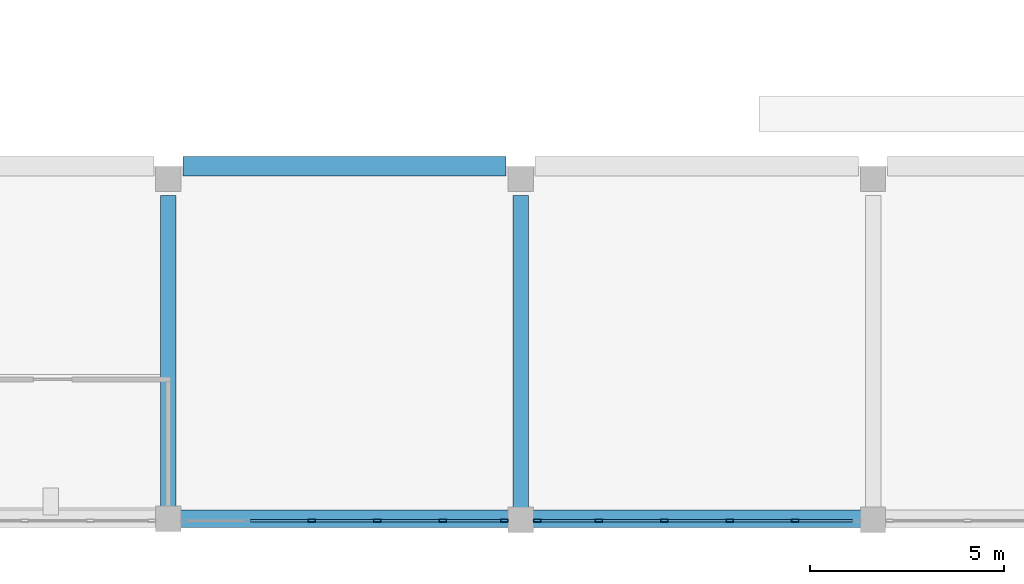
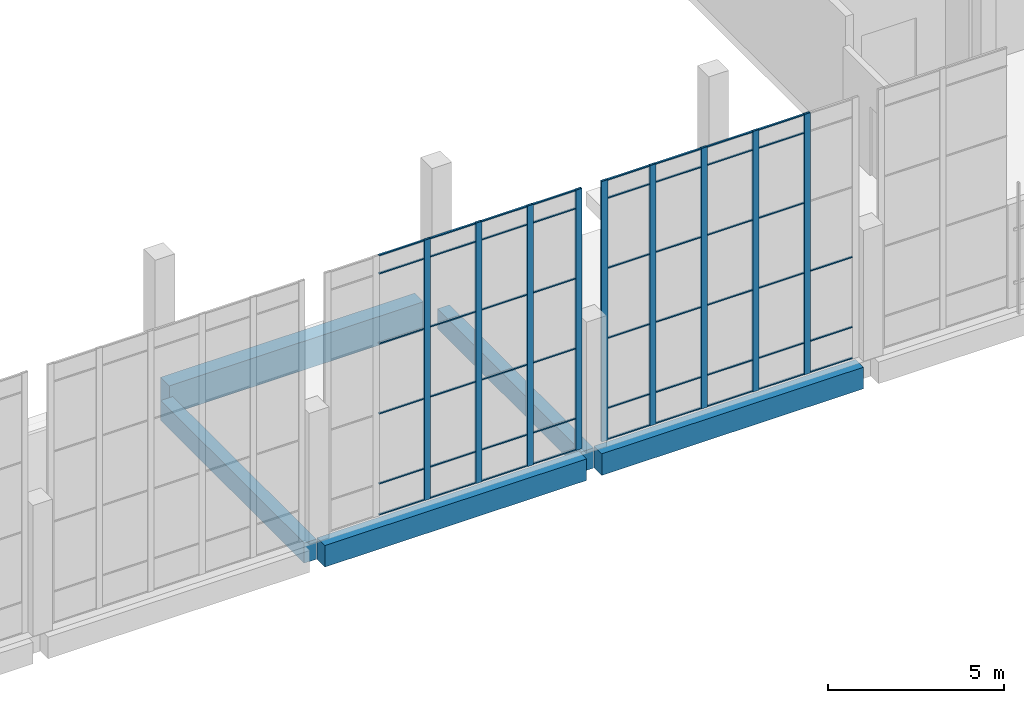
# One storey, part 13 of 91: 60 members, 5 beams, 2 elements without a shape of their own.
"""IFC4 building model written with IfcOpenShell, lengths in metres."""

from ifc_helpers import new_model, si_unit, direction, frame, origin, origin_2d, place, context, subcontext, project, spatial, rectangle, hollow_rectangle, extrude, material, layer, layer_set, material_profile, profile_set, type_object, element, aggregate, save


model = new_model("IFC4")

# Units and contexts
model_context = context("Model", 3, precision=1e-05, world=origin(), true_north=direction((0.0, 1.0)))
body_context = subcontext(model_context, "Body", "Model", "MODEL_VIEW")
ifc_project = project(units=[si_unit("LENGTHUNIT", "METRE"), si_unit("AREAUNIT", "SQUARE_METRE"), si_unit("VOLUMEUNIT", "CUBIC_METRE"), si_unit("PLANEANGLEUNIT", "RADIAN"), si_unit("MASSUNIT", "GRAM", prefix="KILO")], contexts=[model_context])

# Site, building, storey
site_placement = place(None, origin())
site = spatial("IfcSite", under=ifc_project, at=site_placement, CompositionType="ELEMENT")
building_placement = place(site_placement, origin())
building = spatial("IfcBuilding", under=site, at=building_placement, Name="Shirokan Park Arena", CompositionType="ELEMENT")
storey_placement = place(building_placement, frame((0.0, 0.0, 24.570068359375)))
storey = spatial("IfcBuildingStorey", under=building, at=storey_placement, Name="L05", CompositionType="ELEMENT", Elevation=24.570068359375)

# Curtain wall, members
ifc_material_1 = material(Name="Steel and glass curtain wall", Category="steel")
ifc_layer = layer(ifc_material_1, 0.199951171875)
ifc_layer_set = layer_set([ifc_layer], Name="Steel and glass curtain wall 200 mm")
curtain_wall_type = type_object("IfcCurtainWallType", Name="Curtain wall hall bay 200", PredefinedType="NOTDEFINED", material=ifc_layer_set)
curtain_wall_1_placement = place(storey_placement, origin())
curtain_wall_1 = element("IfcCurtainWall", 1, at=curtain_wall_1_placement, inside=storey, type_object=curtain_wall_type, Name="Curtain wall south bay 10 L05", PredefinedType="NOTDEFINED")
ifc_material_2 = material(Name="Steel S355", Category="steel")
ifc_material_profile_1 = material_profile(ifc_material_2, hollow_rectangle(XDim=0.080078125, YDim=0.199951171875, WallThickness=0.008056640625, at=origin_2d()), Name="RHS 200x80x8")
ifc_profile_set_1 = profile_set([ifc_material_profile_1], Name="Steel S355")
member_type_1 = type_object("IfcMemberType", Name="Mullion RHS 200x80x8", PredefinedType="MULLION", material=ifc_profile_set_1)
member_1_placement = place(storey_placement, frame((85.60498046875, -0.050048828125, 0.0), z_axis=(0.0, 0.0, 1.0), x_axis=(0.0, 1.0, 0.0)))
member_1 = element("IfcMember", 2, at=member_1_placement, type_object=member_type_1, Name="CW5 mullion 3", PredefinedType="MULLION", context=body_context, shape_type="SweptSolid", body=[
    extrude(hollow_rectangle(XDim=0.080078125, YDim=0.199951171875, WallThickness=0.008056640625, at=origin_2d()), origin(), (0.0, 0.0, 1.0), 9.050048828125),
])
member_2_placement = place(storey_placement, frame((87.294921875, -0.050048828125, 0.0), z_axis=(0.0, 0.0, 1.0), x_axis=(0.0, 1.0, 0.0)))
member_2 = element("IfcMember", 3, at=member_2_placement, type_object=member_type_1, Name="CW5 mullion 4", PredefinedType="MULLION", context=body_context, shape_type="SweptSolid", body=[
    extrude(hollow_rectangle(XDim=0.080078125, YDim=0.199951171875, WallThickness=0.008056640625, at=origin_2d()), origin(), (0.0, 0.0, 1.0), 9.050048828125),
])
member_3_placement = place(storey_placement, frame((88.985107421875, -0.050048828125, 0.0), z_axis=(0.0, 0.0, 1.0), x_axis=(0.0, 1.0, 0.0)))
member_3 = element("IfcMember", 4, at=member_3_placement, type_object=member_type_1, Name="CW5 mullion 5", PredefinedType="MULLION", context=body_context, shape_type="SweptSolid", body=[
    extrude(hollow_rectangle(XDim=0.080078125, YDim=0.199951171875, WallThickness=0.008056640625, at=origin_2d()), origin(), (0.0, 0.0, 1.0), 9.050048828125),
])
member_4_placement = place(storey_placement, frame((90.574951171875, -0.050048828125, 0.0), z_axis=(0.0, 0.0, 1.0), x_axis=(0.0, 1.0, 0.0)))
member_4 = element("IfcMember", 5, at=member_4_placement, type_object=member_type_1, Name="CW5 mullion 6", PredefinedType="MULLION", context=body_context, shape_type="SweptSolid", body=[
    extrude(hollow_rectangle(XDim=0.080078125, YDim=0.199951171875, WallThickness=0.008056640625, at=origin_2d()), origin(), (0.0, 0.0, 1.0), 9.050048828125),
])

curtain_wall_2_placement = place(storey_placement, origin())
curtain_wall_2 = element("IfcCurtainWall", 6, at=curtain_wall_2_placement, inside=storey, type_object=curtain_wall_type, Name="Curtain wall south bay 11 L05", PredefinedType="NOTDEFINED")
member_5_placement = place(storey_placement, frame((91.425048828125, -0.050048828125, 0.0), z_axis=(0.0, 0.0, 1.0), x_axis=(0.0, 1.0, 0.0)))
member_5 = element("IfcMember", 7, at=member_5_placement, type_object=member_type_1, Name="CW5 mullion 1", PredefinedType="MULLION", context=body_context, shape_type="SweptSolid", body=[
    extrude(hollow_rectangle(XDim=0.080078125, YDim=0.199951171875, WallThickness=0.008056640625, at=origin_2d()), origin(), (0.0, 0.0, 1.0), 9.050048828125),
])
member_6_placement = place(storey_placement, frame((93.014892578125, -0.050048828125, 0.0), z_axis=(0.0, 0.0, 1.0), x_axis=(0.0, 1.0, 0.0)))
member_6 = element("IfcMember", 8, at=member_6_placement, type_object=member_type_1, Name="CW5 mullion 2", PredefinedType="MULLION", context=body_context, shape_type="SweptSolid", body=[
    extrude(hollow_rectangle(XDim=0.080078125, YDim=0.199951171875, WallThickness=0.008056640625, at=origin_2d()), origin(), (0.0, 0.0, 1.0), 9.050048828125),
])
member_7_placement = place(storey_placement, frame((94.705078125, -0.050048828125, 0.0), z_axis=(0.0, 0.0, 1.0), x_axis=(0.0, 1.0, 0.0)))
member_7 = element("IfcMember", 9, at=member_7_placement, type_object=member_type_1, Name="CW5 mullion 3", PredefinedType="MULLION", context=body_context, shape_type="SweptSolid", body=[
    extrude(hollow_rectangle(XDim=0.080078125, YDim=0.199951171875, WallThickness=0.008056640625, at=origin_2d()), origin(), (0.0, 0.0, 1.0), 9.050048828125),
])
member_8_placement = place(storey_placement, frame((96.39501953125, -0.050048828125, 0.0), z_axis=(0.0, 0.0, 1.0), x_axis=(0.0, 1.0, 0.0)))
member_8 = element("IfcMember", 10, at=member_8_placement, type_object=member_type_1, Name="CW5 mullion 4", PredefinedType="MULLION", context=body_context, shape_type="SweptSolid", body=[
    extrude(hollow_rectangle(XDim=0.080078125, YDim=0.199951171875, WallThickness=0.008056640625, at=origin_2d()), origin(), (0.0, 0.0, 1.0), 9.050048828125),
])
member_9_placement = place(storey_placement, frame((98.0849609375, -0.050048828125, 0.0), z_axis=(0.0, 0.0, 1.0), x_axis=(0.0, 1.0, 0.0)))
member_9 = element("IfcMember", 11, at=member_9_placement, type_object=member_type_1, Name="CW5 mullion 5", PredefinedType="MULLION", context=body_context, shape_type="SweptSolid", body=[
    extrude(hollow_rectangle(XDim=0.080078125, YDim=0.199951171875, WallThickness=0.008056640625, at=origin_2d()), origin(), (0.0, 0.0, 1.0), 9.050048828125),
])

# Beams
ifc_material_3 = material(Name="Concrete C35", Category="concrete")
ifc_material_profile_2 = material_profile(ifc_material_3, rectangle(XDim=0.39990234375, YDim=0.699951171875, at=origin_2d()), Name="400x700")
ifc_profile_set_2 = profile_set([ifc_material_profile_2], Name="Concrete C35")
beam_type_1 = type_object("IfcBeamType", Name="RC girder 400x700", PredefinedType="BEAM", material=ifc_profile_set_2)
beam_1_placement = place(storey_placement, frame((81.89990234375, 0.175048828125, -0.650146484375), z_axis=(0.0, 1.0, 0.0), x_axis=(-1.0, 0.0, 0.0)))
element("IfcBeam", 12, at=beam_1_placement, inside=storey, type_object=beam_type_1, Name="Girder 10A-10B L05", PredefinedType="BEAM", context=body_context, shape_type="SweptSolid", body=[
    extrude(rectangle(XDim=0.39990234375, YDim=0.699951171875, at=origin_2d()), origin(), (0.0, 0.0, 1.0), 8.1748046875),
])
beam_2_placement = place(storey_placement, frame((91.0, 0.150146484375, -0.650146484375), z_axis=(0.0, 1.0, 0.0), x_axis=(-1.0, 0.0, 0.0)))
element("IfcBeam", 13, at=beam_2_placement, inside=storey, type_object=beam_type_1, Name="Girder 11A-11B L05", PredefinedType="BEAM", context=body_context, shape_type="SweptSolid", body=[
    extrude(rectangle(XDim=0.39990234375, YDim=0.699951171875, at=origin_2d()), origin(), (0.0, 0.0, 1.0), 8.19970703125),
])
ifc_material_profile_3 = material_profile(ifc_material_3, rectangle(XDim=0.449951171875, YDim=0.75, at=origin_2d()), Name="450x750")
ifc_profile_set_3 = profile_set([ifc_material_profile_3], Name="Concrete C35")
beam_type_2 = type_object("IfcBeamType", Name="RC girder 450x750", PredefinedType="BEAM", material=ifc_profile_set_3)
for number, where, z_axis, x_axis, name in (
    (14, (82.150146484375, 0.0, -0.675048828125), (1.0, 0.0, 0.0), (0.0, 1.0, 0.0), "Girder 10A-11A L05"),
    (15, (91.25, 0.0, -0.675048828125), (1.0, 0.0, 0.0), (0.0, 1.0, 0.0), "Girder 11A-12A L05"),
):
    element("IfcBeam", number, at=place(storey_placement, frame(where, z_axis=z_axis, x_axis=x_axis)), inside=storey, type_object=beam_type_2, Name=name, PredefinedType="BEAM", context=body_context, shape_type="SweptSolid", body=[
        extrude(rectangle(XDim=0.449951171875, YDim=0.75, at=origin_2d()), origin(), (0.0, 0.0, 1.0), 8.599853515625),
    ])
ifc_material_profile_4 = material_profile(ifc_material_3, rectangle(XDim=0.5, YDim=1.0, at=origin_2d()), Name="500x1000")
ifc_profile_set_4 = profile_set([ifc_material_profile_4], Name="Concrete C35")
beam_type_3 = type_object("IfcBeamType", Name="RC girder 500x1000", PredefinedType="BEAM", material=ifc_profile_set_4)
beam_3_placement = place(storey_placement, frame((82.275146484375, 9.10009765625, -0.800048828125), z_axis=(1.0, 0.0, 0.0), x_axis=(0.0, 1.0, 0.0)))
element("IfcBeam", 16, at=beam_3_placement, inside=storey, type_object=beam_type_3, Name="Girder 10B-11B L05", PredefinedType="BEAM", context=body_context, shape_type="SweptSolid", body=[
    extrude(rectangle(XDim=0.5, YDim=1.0, at=origin_2d()), origin(), (0.0, 0.0, 1.0), 8.349853515625),
])

# Member
ifc_material_profile_5 = material_profile(ifc_material_2, hollow_rectangle(XDim=0.06005859375, YDim=0.0400390625, WallThickness=0.00390625, at=origin_2d()), Name="RHS 60x40x4")
ifc_profile_set_5 = profile_set([ifc_material_profile_5], Name="Steel S355")
member_type_2 = type_object("IfcMemberType", Name="Transom RHS 60x40x4", PredefinedType="MULLION", material=ifc_profile_set_5)
member_10_placement = place(storey_placement, frame((84.014892578125, -0.050048828125, 0.02001953125), z_axis=(1.0, 0.0, 0.0), x_axis=(0.0, 1.0, 0.0)))
member_10 = element("IfcMember", 17, at=member_10_placement, type_object=member_type_2, Name="CW5 transom 2.1", PredefinedType="MULLION", context=body_context, shape_type="SweptSolid", body=[
    extrude(hollow_rectangle(XDim=0.06005859375, YDim=0.0400390625, WallThickness=0.00390625, at=origin_2d()), origin(), (0.0, 0.0, 1.0), 1.489990234375),
])

member_11_placement = place(storey_placement, frame((84.014892578125, -0.050048828125, 1.099853515625), z_axis=(1.0, 0.0, 0.0), x_axis=(0.0, 1.0, 0.0)))
member_11 = element("IfcMember", 18, at=member_11_placement, type_object=member_type_2, Name="CW5 transom 2.2", PredefinedType="MULLION", context=body_context, shape_type="SweptSolid", body=[
    extrude(hollow_rectangle(XDim=0.06005859375, YDim=0.0400390625, WallThickness=0.00390625, at=origin_2d()), origin(), (0.0, 0.0, 1.0), 1.489990234375),
])

member_12_placement = place(storey_placement, frame((84.014892578125, -0.050048828125, 3.533203125), z_axis=(1.0, 0.0, 0.0), x_axis=(0.0, 1.0, 0.0)))
member_12 = element("IfcMember", 19, at=member_12_placement, type_object=member_type_2, Name="CW5 transom 2.3", PredefinedType="MULLION", context=body_context, shape_type="SweptSolid", body=[
    extrude(hollow_rectangle(XDim=0.06005859375, YDim=0.0400390625, WallThickness=0.00390625, at=origin_2d()), origin(), (0.0, 0.0, 1.0), 1.489990234375),
])

member_13_placement = place(storey_placement, frame((84.014892578125, -0.050048828125, 5.966552734375), z_axis=(1.0, 0.0, 0.0), x_axis=(0.0, 1.0, 0.0)))
member_13 = element("IfcMember", 20, at=member_13_placement, type_object=member_type_2, Name="CW5 transom 2.4", PredefinedType="MULLION", context=body_context, shape_type="SweptSolid", body=[
    extrude(hollow_rectangle(XDim=0.06005859375, YDim=0.0400390625, WallThickness=0.00390625, at=origin_2d()), origin(), (0.0, 0.0, 1.0), 1.489990234375),
])

member_14_placement = place(storey_placement, frame((84.014892578125, -0.050048828125, 8.39990234375), z_axis=(1.0, 0.0, 0.0), x_axis=(0.0, 1.0, 0.0)))
member_14 = element("IfcMember", 21, at=member_14_placement, type_object=member_type_2, Name="CW5 transom 2.5", PredefinedType="MULLION", context=body_context, shape_type="SweptSolid", body=[
    extrude(hollow_rectangle(XDim=0.06005859375, YDim=0.0400390625, WallThickness=0.00390625, at=origin_2d()), origin(), (0.0, 0.0, 1.0), 1.489990234375),
])

member_15_placement = place(storey_placement, frame((84.014892578125, -0.050048828125, 9.030029296875), z_axis=(1.0, 0.0, 0.0), x_axis=(0.0, 1.0, 0.0)))
member_15 = element("IfcMember", 22, at=member_15_placement, type_object=member_type_2, Name="CW5 transom 2.6", PredefinedType="MULLION", context=body_context, shape_type="SweptSolid", body=[
    extrude(hollow_rectangle(XDim=0.06005859375, YDim=0.0400390625, WallThickness=0.00390625, at=origin_2d()), origin(), (0.0, 0.0, 1.0), 1.489990234375),
])

member_16_placement = place(storey_placement, frame((85.705078125, -0.050048828125, 0.02001953125), z_axis=(1.0, 0.0, 0.0), x_axis=(0.0, 1.0, 0.0)))
member_16 = element("IfcMember", 23, at=member_16_placement, type_object=member_type_2, Name="CW5 transom 3.1", PredefinedType="MULLION", context=body_context, shape_type="SweptSolid", body=[
    extrude(hollow_rectangle(XDim=0.06005859375, YDim=0.0400390625, WallThickness=0.00390625, at=origin_2d()), origin(), (0.0, 0.0, 1.0), 1.489990234375),
])

member_17_placement = place(storey_placement, frame((85.705078125, -0.050048828125, 1.099853515625), z_axis=(1.0, 0.0, 0.0), x_axis=(0.0, 1.0, 0.0)))
member_17 = element("IfcMember", 24, at=member_17_placement, type_object=member_type_2, Name="CW5 transom 3.2", PredefinedType="MULLION", context=body_context, shape_type="SweptSolid", body=[
    extrude(hollow_rectangle(XDim=0.06005859375, YDim=0.0400390625, WallThickness=0.00390625, at=origin_2d()), origin(), (0.0, 0.0, 1.0), 1.489990234375),
])

member_18_placement = place(storey_placement, frame((85.705078125, -0.050048828125, 3.533203125), z_axis=(1.0, 0.0, 0.0), x_axis=(0.0, 1.0, 0.0)))
member_18 = element("IfcMember", 25, at=member_18_placement, type_object=member_type_2, Name="CW5 transom 3.3", PredefinedType="MULLION", context=body_context, shape_type="SweptSolid", body=[
    extrude(hollow_rectangle(XDim=0.06005859375, YDim=0.0400390625, WallThickness=0.00390625, at=origin_2d()), origin(), (0.0, 0.0, 1.0), 1.489990234375),
])

member_19_placement = place(storey_placement, frame((85.705078125, -0.050048828125, 5.966552734375), z_axis=(1.0, 0.0, 0.0), x_axis=(0.0, 1.0, 0.0)))
member_19 = element("IfcMember", 26, at=member_19_placement, type_object=member_type_2, Name="CW5 transom 3.4", PredefinedType="MULLION", context=body_context, shape_type="SweptSolid", body=[
    extrude(hollow_rectangle(XDim=0.06005859375, YDim=0.0400390625, WallThickness=0.00390625, at=origin_2d()), origin(), (0.0, 0.0, 1.0), 1.489990234375),
])

member_20_placement = place(storey_placement, frame((85.705078125, -0.050048828125, 8.39990234375), z_axis=(1.0, 0.0, 0.0), x_axis=(0.0, 1.0, 0.0)))
member_20 = element("IfcMember", 27, at=member_20_placement, type_object=member_type_2, Name="CW5 transom 3.5", PredefinedType="MULLION", context=body_context, shape_type="SweptSolid", body=[
    extrude(hollow_rectangle(XDim=0.06005859375, YDim=0.0400390625, WallThickness=0.00390625, at=origin_2d()), origin(), (0.0, 0.0, 1.0), 1.489990234375),
])

member_21_placement = place(storey_placement, frame((85.705078125, -0.050048828125, 9.030029296875), z_axis=(1.0, 0.0, 0.0), x_axis=(0.0, 1.0, 0.0)))
member_21 = element("IfcMember", 28, at=member_21_placement, type_object=member_type_2, Name="CW5 transom 3.6", PredefinedType="MULLION", context=body_context, shape_type="SweptSolid", body=[
    extrude(hollow_rectangle(XDim=0.06005859375, YDim=0.0400390625, WallThickness=0.00390625, at=origin_2d()), origin(), (0.0, 0.0, 1.0), 1.489990234375),
])

member_22_placement = place(storey_placement, frame((87.39501953125, -0.050048828125, 0.02001953125), z_axis=(1.0, 0.0, 0.0), x_axis=(0.0, 1.0, 0.0)))
member_22 = element("IfcMember", 29, at=member_22_placement, type_object=member_type_2, Name="CW5 transom 4.1", PredefinedType="MULLION", context=body_context, shape_type="SweptSolid", body=[
    extrude(hollow_rectangle(XDim=0.06005859375, YDim=0.0400390625, WallThickness=0.00390625, at=origin_2d()), origin(), (0.0, 0.0, 1.0), 1.489990234375),
])

member_23_placement = place(storey_placement, frame((87.39501953125, -0.050048828125, 1.099853515625), z_axis=(1.0, 0.0, 0.0), x_axis=(0.0, 1.0, 0.0)))
member_23 = element("IfcMember", 30, at=member_23_placement, type_object=member_type_2, Name="CW5 transom 4.2", PredefinedType="MULLION", context=body_context, shape_type="SweptSolid", body=[
    extrude(hollow_rectangle(XDim=0.06005859375, YDim=0.0400390625, WallThickness=0.00390625, at=origin_2d()), origin(), (0.0, 0.0, 1.0), 1.489990234375),
])

member_24_placement = place(storey_placement, frame((87.39501953125, -0.050048828125, 3.533203125), z_axis=(1.0, 0.0, 0.0), x_axis=(0.0, 1.0, 0.0)))
member_24 = element("IfcMember", 31, at=member_24_placement, type_object=member_type_2, Name="CW5 transom 4.3", PredefinedType="MULLION", context=body_context, shape_type="SweptSolid", body=[
    extrude(hollow_rectangle(XDim=0.06005859375, YDim=0.0400390625, WallThickness=0.00390625, at=origin_2d()), origin(), (0.0, 0.0, 1.0), 1.489990234375),
])

member_25_placement = place(storey_placement, frame((87.39501953125, -0.050048828125, 5.966552734375), z_axis=(1.0, 0.0, 0.0), x_axis=(0.0, 1.0, 0.0)))
member_25 = element("IfcMember", 32, at=member_25_placement, type_object=member_type_2, Name="CW5 transom 4.4", PredefinedType="MULLION", context=body_context, shape_type="SweptSolid", body=[
    extrude(hollow_rectangle(XDim=0.06005859375, YDim=0.0400390625, WallThickness=0.00390625, at=origin_2d()), origin(), (0.0, 0.0, 1.0), 1.489990234375),
])

member_26_placement = place(storey_placement, frame((87.39501953125, -0.050048828125, 8.39990234375), z_axis=(1.0, 0.0, 0.0), x_axis=(0.0, 1.0, 0.0)))
member_26 = element("IfcMember", 33, at=member_26_placement, type_object=member_type_2, Name="CW5 transom 4.5", PredefinedType="MULLION", context=body_context, shape_type="SweptSolid", body=[
    extrude(hollow_rectangle(XDim=0.06005859375, YDim=0.0400390625, WallThickness=0.00390625, at=origin_2d()), origin(), (0.0, 0.0, 1.0), 1.489990234375),
])

member_27_placement = place(storey_placement, frame((87.39501953125, -0.050048828125, 9.030029296875), z_axis=(1.0, 0.0, 0.0), x_axis=(0.0, 1.0, 0.0)))
member_27 = element("IfcMember", 34, at=member_27_placement, type_object=member_type_2, Name="CW5 transom 4.6", PredefinedType="MULLION", context=body_context, shape_type="SweptSolid", body=[
    extrude(hollow_rectangle(XDim=0.06005859375, YDim=0.0400390625, WallThickness=0.00390625, at=origin_2d()), origin(), (0.0, 0.0, 1.0), 1.489990234375),
])

member_28_placement = place(storey_placement, frame((89.0849609375, -0.050048828125, 0.02001953125), z_axis=(1.0, 0.0, 0.0), x_axis=(0.0, 1.0, 0.0)))
member_28 = element("IfcMember", 35, at=member_28_placement, type_object=member_type_2, Name="CW5 transom 5.1", PredefinedType="MULLION", context=body_context, shape_type="SweptSolid", body=[
    extrude(hollow_rectangle(XDim=0.06005859375, YDim=0.0400390625, WallThickness=0.00390625, at=origin_2d()), origin(), (0.0, 0.0, 1.0), 1.39013671875),
])

member_29_placement = place(storey_placement, frame((89.0849609375, -0.050048828125, 1.099853515625), z_axis=(1.0, 0.0, 0.0), x_axis=(0.0, 1.0, 0.0)))
member_29 = element("IfcMember", 36, at=member_29_placement, type_object=member_type_2, Name="CW5 transom 5.2", PredefinedType="MULLION", context=body_context, shape_type="SweptSolid", body=[
    extrude(hollow_rectangle(XDim=0.06005859375, YDim=0.0400390625, WallThickness=0.00390625, at=origin_2d()), origin(), (0.0, 0.0, 1.0), 1.39013671875),
])

member_30_placement = place(storey_placement, frame((89.0849609375, -0.050048828125, 3.533203125), z_axis=(1.0, 0.0, 0.0), x_axis=(0.0, 1.0, 0.0)))
member_30 = element("IfcMember", 37, at=member_30_placement, type_object=member_type_2, Name="CW5 transom 5.3", PredefinedType="MULLION", context=body_context, shape_type="SweptSolid", body=[
    extrude(hollow_rectangle(XDim=0.06005859375, YDim=0.0400390625, WallThickness=0.00390625, at=origin_2d()), origin(), (0.0, 0.0, 1.0), 1.39013671875),
])

member_31_placement = place(storey_placement, frame((89.0849609375, -0.050048828125, 5.966552734375), z_axis=(1.0, 0.0, 0.0), x_axis=(0.0, 1.0, 0.0)))
member_31 = element("IfcMember", 38, at=member_31_placement, type_object=member_type_2, Name="CW5 transom 5.4", PredefinedType="MULLION", context=body_context, shape_type="SweptSolid", body=[
    extrude(hollow_rectangle(XDim=0.06005859375, YDim=0.0400390625, WallThickness=0.00390625, at=origin_2d()), origin(), (0.0, 0.0, 1.0), 1.39013671875),
])

member_32_placement = place(storey_placement, frame((89.0849609375, -0.050048828125, 8.39990234375), z_axis=(1.0, 0.0, 0.0), x_axis=(0.0, 1.0, 0.0)))
member_32 = element("IfcMember", 39, at=member_32_placement, type_object=member_type_2, Name="CW5 transom 5.5", PredefinedType="MULLION", context=body_context, shape_type="SweptSolid", body=[
    extrude(hollow_rectangle(XDim=0.06005859375, YDim=0.0400390625, WallThickness=0.00390625, at=origin_2d()), origin(), (0.0, 0.0, 1.0), 1.39013671875),
])

member_33_placement = place(storey_placement, frame((89.0849609375, -0.050048828125, 9.030029296875), z_axis=(1.0, 0.0, 0.0), x_axis=(0.0, 1.0, 0.0)))
member_33 = element("IfcMember", 40, at=member_33_placement, type_object=member_type_2, Name="CW5 transom 5.6", PredefinedType="MULLION", context=body_context, shape_type="SweptSolid", body=[
    extrude(hollow_rectangle(XDim=0.06005859375, YDim=0.0400390625, WallThickness=0.00390625, at=origin_2d()), origin(), (0.0, 0.0, 1.0), 1.39013671875),
])

aggregate(curtain_wall_1, [member_1, member_2, member_3, member_4, member_10, member_11, member_12, member_13, member_14, member_15, member_16, member_17, member_18, member_19, member_20, member_21, member_22, member_23, member_24, member_25, member_26, member_27, member_28, member_29, member_30, member_31, member_32, member_33])

member_34_placement = place(storey_placement, frame((91.52490234375, -0.050048828125, 0.02001953125), z_axis=(1.0, 0.0, 0.0), x_axis=(0.0, 1.0, 0.0)))
member_34 = element("IfcMember", 41, at=member_34_placement, type_object=member_type_2, Name="CW5 transom 1.1", PredefinedType="MULLION", context=body_context, shape_type="SweptSolid", body=[
    extrude(hollow_rectangle(XDim=0.06005859375, YDim=0.0400390625, WallThickness=0.00390625, at=origin_2d()), origin(), (0.0, 0.0, 1.0), 1.39013671875),
])

member_35_placement = place(storey_placement, frame((91.52490234375, -0.050048828125, 1.099853515625), z_axis=(1.0, 0.0, 0.0), x_axis=(0.0, 1.0, 0.0)))
member_35 = element("IfcMember", 42, at=member_35_placement, type_object=member_type_2, Name="CW5 transom 1.2", PredefinedType="MULLION", context=body_context, shape_type="SweptSolid", body=[
    extrude(hollow_rectangle(XDim=0.06005859375, YDim=0.0400390625, WallThickness=0.00390625, at=origin_2d()), origin(), (0.0, 0.0, 1.0), 1.39013671875),
])

member_36_placement = place(storey_placement, frame((91.52490234375, -0.050048828125, 3.533203125), z_axis=(1.0, 0.0, 0.0), x_axis=(0.0, 1.0, 0.0)))
member_36 = element("IfcMember", 43, at=member_36_placement, type_object=member_type_2, Name="CW5 transom 1.3", PredefinedType="MULLION", context=body_context, shape_type="SweptSolid", body=[
    extrude(hollow_rectangle(XDim=0.06005859375, YDim=0.0400390625, WallThickness=0.00390625, at=origin_2d()), origin(), (0.0, 0.0, 1.0), 1.39013671875),
])

member_37_placement = place(storey_placement, frame((91.52490234375, -0.050048828125, 5.966552734375), z_axis=(1.0, 0.0, 0.0), x_axis=(0.0, 1.0, 0.0)))
member_37 = element("IfcMember", 44, at=member_37_placement, type_object=member_type_2, Name="CW5 transom 1.4", PredefinedType="MULLION", context=body_context, shape_type="SweptSolid", body=[
    extrude(hollow_rectangle(XDim=0.06005859375, YDim=0.0400390625, WallThickness=0.00390625, at=origin_2d()), origin(), (0.0, 0.0, 1.0), 1.39013671875),
])

member_38_placement = place(storey_placement, frame((91.52490234375, -0.050048828125, 8.39990234375), z_axis=(1.0, 0.0, 0.0), x_axis=(0.0, 1.0, 0.0)))
member_38 = element("IfcMember", 45, at=member_38_placement, type_object=member_type_2, Name="CW5 transom 1.5", PredefinedType="MULLION", context=body_context, shape_type="SweptSolid", body=[
    extrude(hollow_rectangle(XDim=0.06005859375, YDim=0.0400390625, WallThickness=0.00390625, at=origin_2d()), origin(), (0.0, 0.0, 1.0), 1.39013671875),
])

member_39_placement = place(storey_placement, frame((91.52490234375, -0.050048828125, 9.030029296875), z_axis=(1.0, 0.0, 0.0), x_axis=(0.0, 1.0, 0.0)))
member_39 = element("IfcMember", 46, at=member_39_placement, type_object=member_type_2, Name="CW5 transom 1.6", PredefinedType="MULLION", context=body_context, shape_type="SweptSolid", body=[
    extrude(hollow_rectangle(XDim=0.06005859375, YDim=0.0400390625, WallThickness=0.00390625, at=origin_2d()), origin(), (0.0, 0.0, 1.0), 1.39013671875),
])

member_40_placement = place(storey_placement, frame((93.114990234375, -0.050048828125, 0.02001953125), z_axis=(1.0, 0.0, 0.0), x_axis=(0.0, 1.0, 0.0)))
member_40 = element("IfcMember", 47, at=member_40_placement, type_object=member_type_2, Name="CW5 transom 2.1", PredefinedType="MULLION", context=body_context, shape_type="SweptSolid", body=[
    extrude(hollow_rectangle(XDim=0.06005859375, YDim=0.0400390625, WallThickness=0.00390625, at=origin_2d()), origin(), (0.0, 0.0, 1.0), 1.489990234375),
])

member_41_placement = place(storey_placement, frame((93.114990234375, -0.050048828125, 1.099853515625), z_axis=(1.0, 0.0, 0.0), x_axis=(0.0, 1.0, 0.0)))
member_41 = element("IfcMember", 48, at=member_41_placement, type_object=member_type_2, Name="CW5 transom 2.2", PredefinedType="MULLION", context=body_context, shape_type="SweptSolid", body=[
    extrude(hollow_rectangle(XDim=0.06005859375, YDim=0.0400390625, WallThickness=0.00390625, at=origin_2d()), origin(), (0.0, 0.0, 1.0), 1.489990234375),
])

member_42_placement = place(storey_placement, frame((93.114990234375, -0.050048828125, 3.533203125), z_axis=(1.0, 0.0, 0.0), x_axis=(0.0, 1.0, 0.0)))
member_42 = element("IfcMember", 49, at=member_42_placement, type_object=member_type_2, Name="CW5 transom 2.3", PredefinedType="MULLION", context=body_context, shape_type="SweptSolid", body=[
    extrude(hollow_rectangle(XDim=0.06005859375, YDim=0.0400390625, WallThickness=0.00390625, at=origin_2d()), origin(), (0.0, 0.0, 1.0), 1.489990234375),
])

member_43_placement = place(storey_placement, frame((93.114990234375, -0.050048828125, 5.966552734375), z_axis=(1.0, 0.0, 0.0), x_axis=(0.0, 1.0, 0.0)))
member_43 = element("IfcMember", 50, at=member_43_placement, type_object=member_type_2, Name="CW5 transom 2.4", PredefinedType="MULLION", context=body_context, shape_type="SweptSolid", body=[
    extrude(hollow_rectangle(XDim=0.06005859375, YDim=0.0400390625, WallThickness=0.00390625, at=origin_2d()), origin(), (0.0, 0.0, 1.0), 1.489990234375),
])

member_44_placement = place(storey_placement, frame((93.114990234375, -0.050048828125, 8.39990234375), z_axis=(1.0, 0.0, 0.0), x_axis=(0.0, 1.0, 0.0)))
member_44 = element("IfcMember", 51, at=member_44_placement, type_object=member_type_2, Name="CW5 transom 2.5", PredefinedType="MULLION", context=body_context, shape_type="SweptSolid", body=[
    extrude(hollow_rectangle(XDim=0.06005859375, YDim=0.0400390625, WallThickness=0.00390625, at=origin_2d()), origin(), (0.0, 0.0, 1.0), 1.489990234375),
])

member_45_placement = place(storey_placement, frame((93.114990234375, -0.050048828125, 9.030029296875), z_axis=(1.0, 0.0, 0.0), x_axis=(0.0, 1.0, 0.0)))
member_45 = element("IfcMember", 52, at=member_45_placement, type_object=member_type_2, Name="CW5 transom 2.6", PredefinedType="MULLION", context=body_context, shape_type="SweptSolid", body=[
    extrude(hollow_rectangle(XDim=0.06005859375, YDim=0.0400390625, WallThickness=0.00390625, at=origin_2d()), origin(), (0.0, 0.0, 1.0), 1.489990234375),
])

member_46_placement = place(storey_placement, frame((94.804931640625, -0.050048828125, 0.02001953125), z_axis=(1.0, 0.0, 0.0), x_axis=(0.0, 1.0, 0.0)))
member_46 = element("IfcMember", 53, at=member_46_placement, type_object=member_type_2, Name="CW5 transom 3.1", PredefinedType="MULLION", context=body_context, shape_type="SweptSolid", body=[
    extrude(hollow_rectangle(XDim=0.06005859375, YDim=0.0400390625, WallThickness=0.00390625, at=origin_2d()), origin(), (0.0, 0.0, 1.0), 1.489990234375),
])

member_47_placement = place(storey_placement, frame((94.804931640625, -0.050048828125, 1.099853515625), z_axis=(1.0, 0.0, 0.0), x_axis=(0.0, 1.0, 0.0)))
member_47 = element("IfcMember", 54, at=member_47_placement, type_object=member_type_2, Name="CW5 transom 3.2", PredefinedType="MULLION", context=body_context, shape_type="SweptSolid", body=[
    extrude(hollow_rectangle(XDim=0.06005859375, YDim=0.0400390625, WallThickness=0.00390625, at=origin_2d()), origin(), (0.0, 0.0, 1.0), 1.489990234375),
])

member_48_placement = place(storey_placement, frame((94.804931640625, -0.050048828125, 3.533203125), z_axis=(1.0, 0.0, 0.0), x_axis=(0.0, 1.0, 0.0)))
member_48 = element("IfcMember", 55, at=member_48_placement, type_object=member_type_2, Name="CW5 transom 3.3", PredefinedType="MULLION", context=body_context, shape_type="SweptSolid", body=[
    extrude(hollow_rectangle(XDim=0.06005859375, YDim=0.0400390625, WallThickness=0.00390625, at=origin_2d()), origin(), (0.0, 0.0, 1.0), 1.489990234375),
])

member_49_placement = place(storey_placement, frame((94.804931640625, -0.050048828125, 5.966552734375), z_axis=(1.0, 0.0, 0.0), x_axis=(0.0, 1.0, 0.0)))
member_49 = element("IfcMember", 56, at=member_49_placement, type_object=member_type_2, Name="CW5 transom 3.4", PredefinedType="MULLION", context=body_context, shape_type="SweptSolid", body=[
    extrude(hollow_rectangle(XDim=0.06005859375, YDim=0.0400390625, WallThickness=0.00390625, at=origin_2d()), origin(), (0.0, 0.0, 1.0), 1.489990234375),
])

member_50_placement = place(storey_placement, frame((94.804931640625, -0.050048828125, 8.39990234375), z_axis=(1.0, 0.0, 0.0), x_axis=(0.0, 1.0, 0.0)))
member_50 = element("IfcMember", 57, at=member_50_placement, type_object=member_type_2, Name="CW5 transom 3.5", PredefinedType="MULLION", context=body_context, shape_type="SweptSolid", body=[
    extrude(hollow_rectangle(XDim=0.06005859375, YDim=0.0400390625, WallThickness=0.00390625, at=origin_2d()), origin(), (0.0, 0.0, 1.0), 1.489990234375),
])

member_51_placement = place(storey_placement, frame((94.804931640625, -0.050048828125, 9.030029296875), z_axis=(1.0, 0.0, 0.0), x_axis=(0.0, 1.0, 0.0)))
member_51 = element("IfcMember", 58, at=member_51_placement, type_object=member_type_2, Name="CW5 transom 3.6", PredefinedType="MULLION", context=body_context, shape_type="SweptSolid", body=[
    extrude(hollow_rectangle(XDim=0.06005859375, YDim=0.0400390625, WallThickness=0.00390625, at=origin_2d()), origin(), (0.0, 0.0, 1.0), 1.489990234375),
])

member_52_placement = place(storey_placement, frame((96.4951171875, -0.050048828125, 0.02001953125), z_axis=(1.0, 0.0, 0.0), x_axis=(0.0, 1.0, 0.0)))
member_52 = element("IfcMember", 59, at=member_52_placement, type_object=member_type_2, Name="CW5 transom 4.1", PredefinedType="MULLION", context=body_context, shape_type="SweptSolid", body=[
    extrude(hollow_rectangle(XDim=0.06005859375, YDim=0.0400390625, WallThickness=0.00390625, at=origin_2d()), origin(), (0.0, 0.0, 1.0), 1.489990234375),
])

member_53_placement = place(storey_placement, frame((96.4951171875, -0.050048828125, 1.099853515625), z_axis=(1.0, 0.0, 0.0), x_axis=(0.0, 1.0, 0.0)))
member_53 = element("IfcMember", 60, at=member_53_placement, type_object=member_type_2, Name="CW5 transom 4.2", PredefinedType="MULLION", context=body_context, shape_type="SweptSolid", body=[
    extrude(hollow_rectangle(XDim=0.06005859375, YDim=0.0400390625, WallThickness=0.00390625, at=origin_2d()), origin(), (0.0, 0.0, 1.0), 1.489990234375),
])

member_54_placement = place(storey_placement, frame((96.4951171875, -0.050048828125, 3.533203125), z_axis=(1.0, 0.0, 0.0), x_axis=(0.0, 1.0, 0.0)))
member_54 = element("IfcMember", 61, at=member_54_placement, type_object=member_type_2, Name="CW5 transom 4.3", PredefinedType="MULLION", context=body_context, shape_type="SweptSolid", body=[
    extrude(hollow_rectangle(XDim=0.06005859375, YDim=0.0400390625, WallThickness=0.00390625, at=origin_2d()), origin(), (0.0, 0.0, 1.0), 1.489990234375),
])

member_55_placement = place(storey_placement, frame((96.4951171875, -0.050048828125, 5.966552734375), z_axis=(1.0, 0.0, 0.0), x_axis=(0.0, 1.0, 0.0)))
member_55 = element("IfcMember", 62, at=member_55_placement, type_object=member_type_2, Name="CW5 transom 4.4", PredefinedType="MULLION", context=body_context, shape_type="SweptSolid", body=[
    extrude(hollow_rectangle(XDim=0.06005859375, YDim=0.0400390625, WallThickness=0.00390625, at=origin_2d()), origin(), (0.0, 0.0, 1.0), 1.489990234375),
])

member_56_placement = place(storey_placement, frame((96.4951171875, -0.050048828125, 8.39990234375), z_axis=(1.0, 0.0, 0.0), x_axis=(0.0, 1.0, 0.0)))
member_56 = element("IfcMember", 63, at=member_56_placement, type_object=member_type_2, Name="CW5 transom 4.5", PredefinedType="MULLION", context=body_context, shape_type="SweptSolid", body=[
    extrude(hollow_rectangle(XDim=0.06005859375, YDim=0.0400390625, WallThickness=0.00390625, at=origin_2d()), origin(), (0.0, 0.0, 1.0), 1.489990234375),
])

member_57_placement = place(storey_placement, frame((96.4951171875, -0.050048828125, 9.030029296875), z_axis=(1.0, 0.0, 0.0), x_axis=(0.0, 1.0, 0.0)))
member_57 = element("IfcMember", 64, at=member_57_placement, type_object=member_type_2, Name="CW5 transom 4.6", PredefinedType="MULLION", context=body_context, shape_type="SweptSolid", body=[
    extrude(hollow_rectangle(XDim=0.06005859375, YDim=0.0400390625, WallThickness=0.00390625, at=origin_2d()), origin(), (0.0, 0.0, 1.0), 1.489990234375),
])

member_58_placement = place(storey_placement, frame((98.18505859375, -0.050048828125, 0.02001953125), z_axis=(1.0, 0.0, 0.0), x_axis=(0.0, 1.0, 0.0)))
member_58 = element("IfcMember", 65, at=member_58_placement, type_object=member_type_2, Name="CW5 transom 5.1", PredefinedType="MULLION", context=body_context, shape_type="SweptSolid", body=[
    extrude(hollow_rectangle(XDim=0.06005859375, YDim=0.0400390625, WallThickness=0.00390625, at=origin_2d()), origin(), (0.0, 0.0, 1.0), 1.389892578125),
])

member_59_placement = place(storey_placement, frame((98.18505859375, -0.050048828125, 1.099853515625), z_axis=(1.0, 0.0, 0.0), x_axis=(0.0, 1.0, 0.0)))
member_59 = element("IfcMember", 66, at=member_59_placement, type_object=member_type_2, Name="CW5 transom 5.2", PredefinedType="MULLION", context=body_context, shape_type="SweptSolid", body=[
    extrude(hollow_rectangle(XDim=0.06005859375, YDim=0.0400390625, WallThickness=0.00390625, at=origin_2d()), origin(), (0.0, 0.0, 1.0), 1.389892578125),
])

member_60_placement = place(storey_placement, frame((98.18505859375, -0.050048828125, 3.533203125), z_axis=(1.0, 0.0, 0.0), x_axis=(0.0, 1.0, 0.0)))
member_60 = element("IfcMember", 67, at=member_60_placement, type_object=member_type_2, Name="CW5 transom 5.3", PredefinedType="MULLION", context=body_context, shape_type="SweptSolid", body=[
    extrude(hollow_rectangle(XDim=0.06005859375, YDim=0.0400390625, WallThickness=0.00390625, at=origin_2d()), origin(), (0.0, 0.0, 1.0), 1.389892578125),
])

aggregate(curtain_wall_2, [member_5, member_6, member_7, member_8, member_9, member_34, member_35, member_36, member_37, member_38, member_39, member_40, member_41, member_42, member_43, member_44, member_45, member_46, member_47, member_48, member_49, member_50, member_51, member_52, member_53, member_54, member_55, member_56, member_57, member_58, member_59, member_60])

save(model, "model.ifc")
